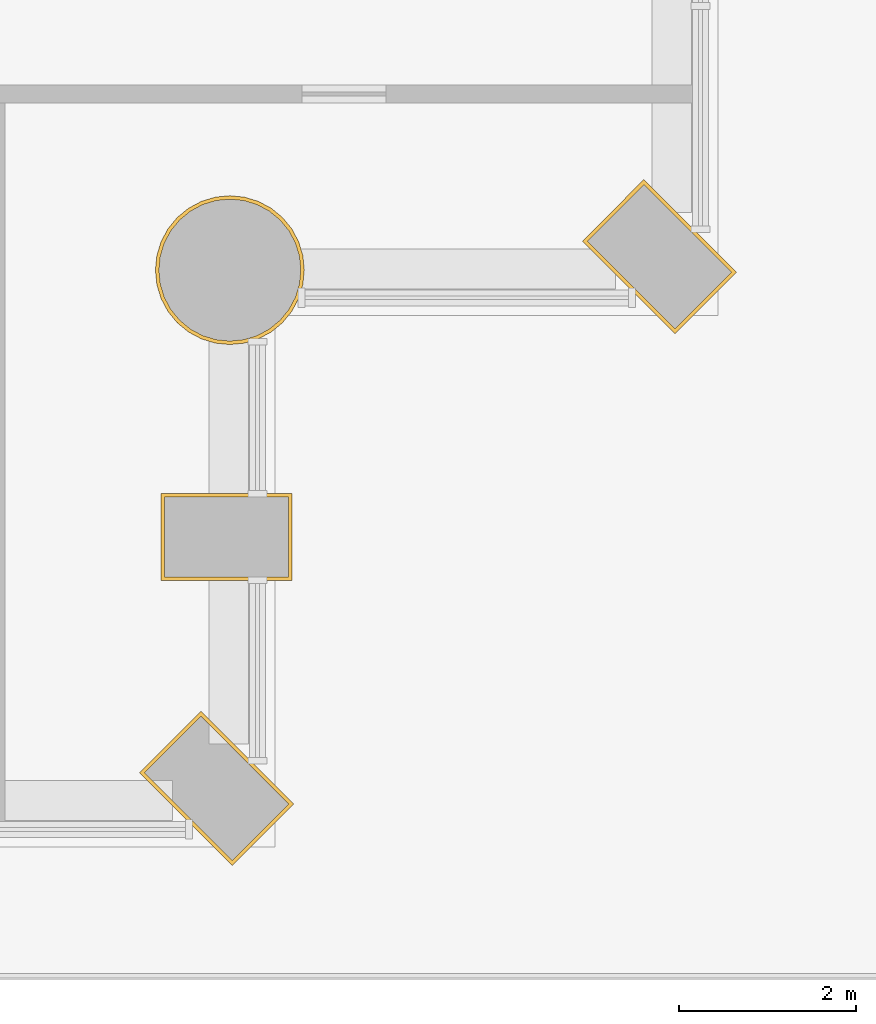
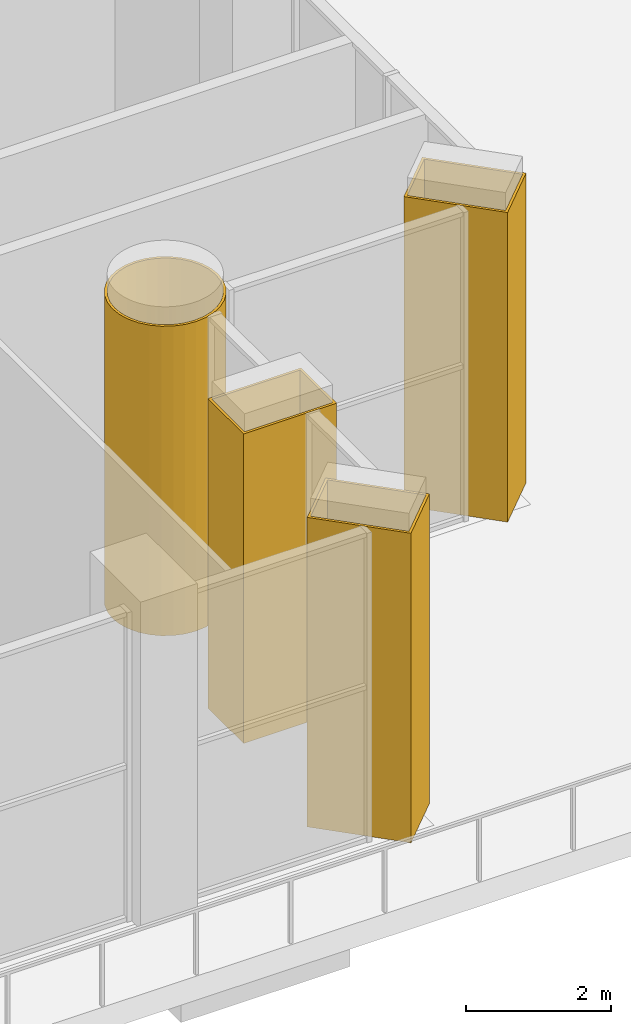
# One storey, part 22 of 26: 4 coverings.
"""IFC4 building model written with IfcOpenShell, lengths in metres."""

from ifc_helpers import new_model, si_unit, direction, frame, origin, place, context, subcontext, project, spatial, polyline, outline, extrude, material, layer, layer_set, type_object, element, save


model = new_model("IFC4")

# Units and contexts
model_context = context("Model", 3, precision=1e-05, world=origin(), true_north=direction((0.0, 1.0)))
body_context = subcontext(model_context, "Body", "Model", "MODEL_VIEW")
ifc_project = project(units=[si_unit("LENGTHUNIT", "METRE"), si_unit("AREAUNIT", "SQUARE_METRE"), si_unit("VOLUMEUNIT", "CUBIC_METRE"), si_unit("PLANEANGLEUNIT", "RADIAN"), si_unit("MASSUNIT", "GRAM", prefix="KILO")], contexts=[model_context])

# Site, building, storey
site_placement = place(None, origin())
site = spatial("IfcSite", under=ifc_project, at=site_placement, CompositionType="ELEMENT")
building_placement = place(site_placement, origin())
building = spatial("IfcBuilding", under=site, at=building_placement, Name="Cypress Arch Tower", CompositionType="ELEMENT")
storey_placement = place(building_placement, frame((0.0, 0.0, 50.0)))
storey = spatial("IfcBuildingStorey", under=building, at=storey_placement, Name="L06", CompositionType="ELEMENT", Elevation=50.0)

# Coverings
ifc_material = material(Name="Painted plasterboard column casing")
ifc_layer = layer(ifc_material, 0.0400390625)
ifc_layer_set = layer_set([ifc_layer], Name="Column casing CK40")
covering_type = type_object("IfcCoveringType", Name="Column casing CK40", PredefinedType="CLADDING", material=ifc_layer_set)
covering_1_placement = place(storey_placement, origin())
element("IfcCovering", 1, at=covering_1_placement, inside=storey, type_object=covering_type, Name="Column casing L06 CA10", PredefinedType="CLADDING", context=body_context, shape_type="SweptSolid", body=[
    extrude(outline(polyline([(19.113525390625, -26.20654296875), (18.067138671875, -25.16015625), (18.760009765625, -24.467041015625), (19.806640625, -25.513671875), (19.113525390625, -26.20654296875)]), holes=[polyline([(19.113525390625, -26.14990234375), (19.75, -25.513671875), (18.760009765625, -24.523681640625), (18.12353515625, -25.16015625), (19.113525390625, -26.14990234375)])]), origin(), (0.0, 0.0, 1.0), 5.199951171875),
])
covering_2_placement = place(storey_placement, origin())
element("IfcCovering", 2, at=covering_2_placement, inside=storey, type_object=covering_type, Name="Column casing L06 CA11", PredefinedType="CLADDING", context=body_context, shape_type="SweptSolid", body=[
    extrude(outline(polyline([(19.7900390625, -22.989990234375), (18.31005859375, -22.989990234375), (18.31005859375, -22.010009765625), (19.7900390625, -22.010009765625), (19.7900390625, -22.989990234375)]), holes=[polyline([(19.75, -22.949951171875), (19.75, -22.050048828125), (18.35009765625, -22.050048828125), (18.35009765625, -22.949951171875), (19.75, -22.949951171875)])]), origin(), (0.0, 0.0, 1.0), 5.199951171875),
])
covering_3_placement = place(storey_placement, origin())
element("IfcCovering", 3, at=covering_3_placement, inside=storey, type_object=covering_type, Name="Column casing L06 CA12", PredefinedType="CLADDING", context=body_context, shape_type="SweptSolid", body=[
    extrude(outline(polyline([(19.927978515625, -19.48779296875), (19.911865234375, -19.65185546875), (19.864013671875, -19.809326171875), (19.786376953125, -19.95458984375), (19.681884765625, -20.08203125), (19.5546875, -20.1865234375), (19.409423828125, -20.26416015625), (19.251708984375, -20.31201171875), (19.087890625, -20.328125), (18.924072265625, -20.31201171875), (18.766357421875, -20.26416015625), (18.62109375, -20.1865234375), (18.49365234375, -20.08203125), (18.38916015625, -19.95458984375), (18.3115234375, -19.809326171875), (18.263916015625, -19.65185546875), (18.24755859375, -19.48779296875), (18.263916015625, -19.323974609375), (18.3115234375, -19.166259765625), (18.38916015625, -19.02099609375), (18.49365234375, -18.893798828125), (18.62109375, -18.789306640625), (18.766357421875, -18.711669921875), (18.924072265625, -18.663818359375), (19.087890625, -18.647705078125), (19.251708984375, -18.663818359375), (19.409423828125, -18.711669921875), (19.5546875, -18.789306640625), (19.681884765625, -18.893798828125), (19.786376953125, -19.02099609375), (19.864013671875, -19.166259765625), (19.911865234375, -19.323974609375), (19.927978515625, -19.48779296875)]), holes=[polyline([(19.887939453125, -19.48779296875), (19.87255859375, -19.64404296875), (19.826904296875, -19.7939453125), (19.7529296875, -19.932373046875), (19.653564453125, -20.053466796875), (19.5322265625, -20.153076171875), (19.39404296875, -20.22705078125), (19.243896484375, -20.2724609375), (19.087890625, -20.287841796875), (18.931884765625, -20.2724609375), (18.78173828125, -20.22705078125), (18.643310546875, -20.153076171875), (18.522216796875, -20.053466796875), (18.422607421875, -19.932373046875), (18.348876953125, -19.7939453125), (18.30322265625, -19.64404296875), (18.287841796875, -19.48779296875), (18.30322265625, -19.331787109375), (18.348876953125, -19.181640625), (18.422607421875, -19.04345703125), (18.522216796875, -18.922119140625), (18.643310546875, -18.82275390625), (18.78173828125, -18.748779296875), (18.931884765625, -18.703125), (19.087890625, -18.68798828125), (19.243896484375, -18.703125), (19.39404296875, -18.748779296875), (19.5322265625, -18.82275390625), (19.653564453125, -18.922119140625), (19.7529296875, -19.04345703125), (19.826904296875, -19.181640625), (19.87255859375, -19.331787109375), (19.887939453125, -19.48779296875)])]), origin(), (0.0, 0.0, 1.0), 5.199951171875),
])
covering_4_placement = place(storey_placement, origin())
element("IfcCovering", 4, at=covering_4_placement, inside=storey, type_object=covering_type, Name="Column casing L06 CA13", PredefinedType="CLADDING", context=body_context, shape_type="SweptSolid", body=[
    extrude(outline(polyline([(24.113525390625, -20.20654296875), (23.067138671875, -19.16015625), (23.760009765625, -18.467041015625), (24.806640625, -19.513671875), (24.113525390625, -20.20654296875)]), holes=[polyline([(24.113525390625, -20.14990234375), (24.75, -19.513671875), (23.760009765625, -18.523681640625), (23.12353515625, -19.16015625), (24.113525390625, -20.14990234375)])]), origin(), (0.0, 0.0, 1.0), 5.199951171875),
])

save(model, "model.ifc")
